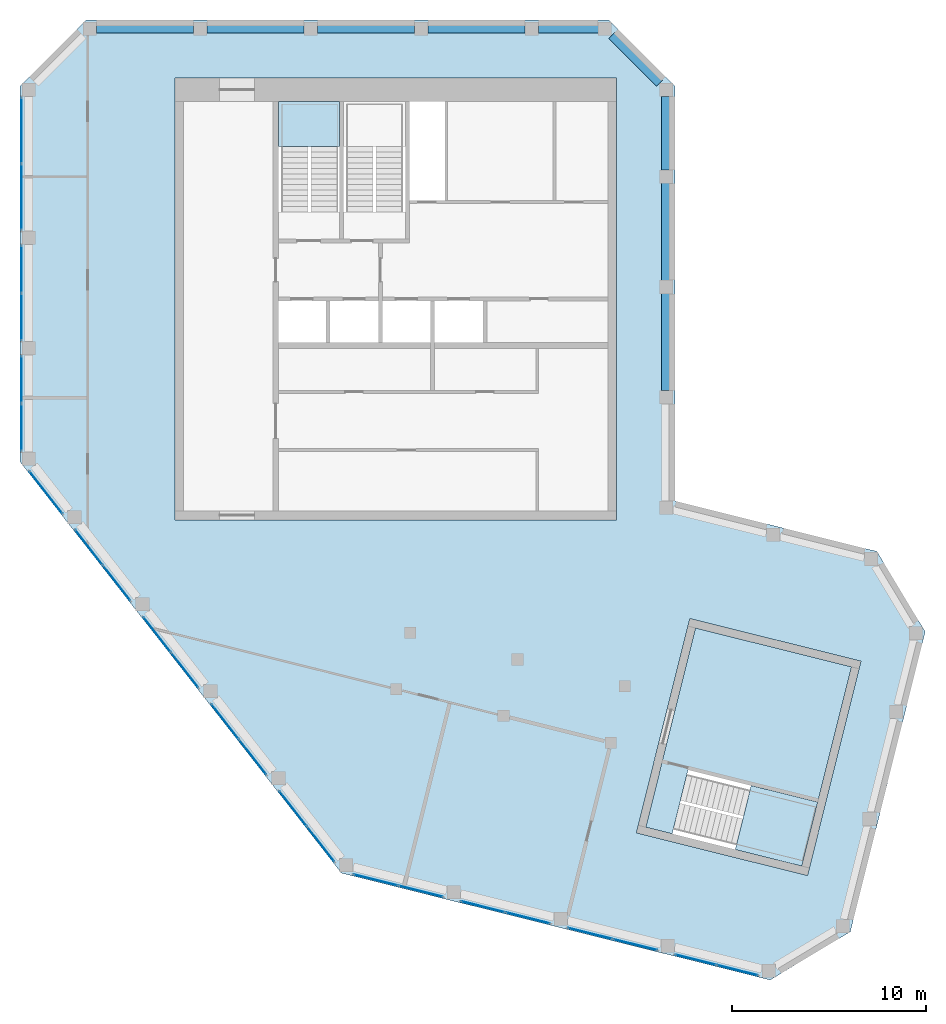
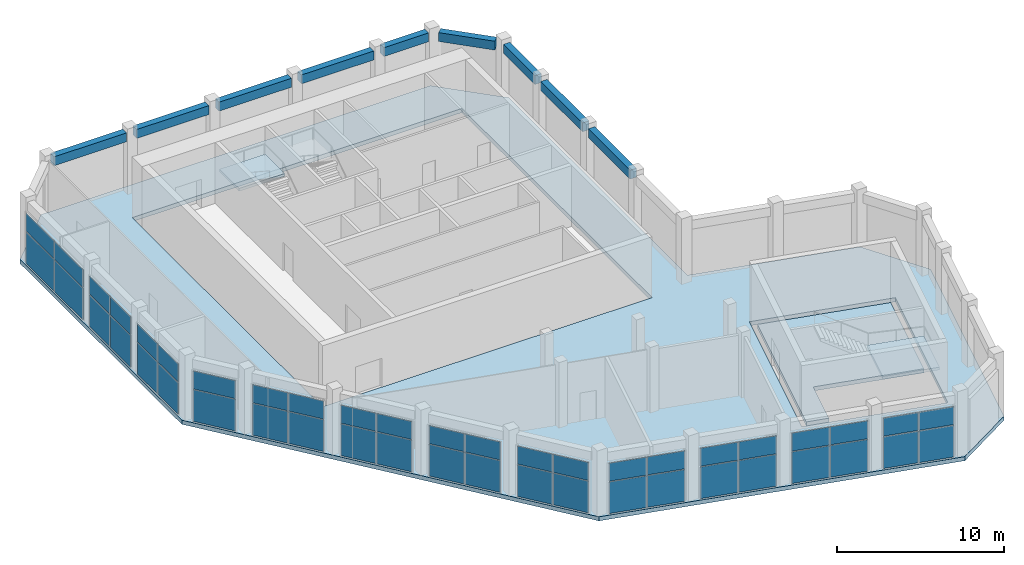
# One storey, part 6 of 10: 46 plates, 9 beams, 4 slabs, 14 elements without a shape of their own.
"""IFC4 building model written with IfcOpenShell, lengths in metres."""

from ifc_helpers import new_model, si_unit, direction, frame, origin, origin_2d, place, context, subcontext, project, spatial, polyline, rectangle, outline, extrude, material, layer, layer_set, material_profile, profile_set, type_object, element, aggregate, save


model = new_model("IFC4")

# Units and contexts
model_context = context("Model", 3, precision=1e-05, world=origin(), true_north=direction((0.0, 1.0)))
body_context = subcontext(model_context, "Body", "Model", "MODEL_VIEW")
ifc_project = project(units=[si_unit("LENGTHUNIT", "METRE"), si_unit("AREAUNIT", "SQUARE_METRE"), si_unit("VOLUMEUNIT", "CUBIC_METRE"), si_unit("PLANEANGLEUNIT", "RADIAN"), si_unit("MASSUNIT", "GRAM", prefix="KILO")], contexts=[model_context])

# Site, building, storey
site_placement = place(None, origin())
site = spatial("IfcSite", under=ifc_project, at=site_placement, CompositionType="ELEMENT")
building_placement = place(site_placement, origin())
building = spatial("IfcBuilding", under=site, at=building_placement, Name="Meshkara Civic Tower", CompositionType="ELEMENT")
storey_placement = place(building_placement, frame((0.0, 0.0, 424.199951171875)))
storey = spatial("IfcBuildingStorey", under=building, at=storey_placement, Name="L97 Crown", CompositionType="ELEMENT", Elevation=424.199951171875)

# Beams
ifc_material_1 = material(Name="Concrete C50", Category="concrete")
ifc_material_profile = material_profile(ifc_material_1, rectangle(XDim=0.449951171875, YDim=0.64990234375, at=origin_2d()))
ifc_profile_set = profile_set([ifc_material_profile], Name="Concrete C50")
beam_type = type_object("IfcBeamType", Name="Spandrel beam RC 450x650 C50", PredefinedType="BEAM", material=ifc_profile_set)
for number, where, z_axis, x_axis, name in (
    (1, (33.35009765625, 20.763916015625, 4.125), (0.0, 1.0, 0.0), (-1.0, 0.0, 0.0), "Spandrel beam HE01-HE02"),
    (2, (33.35009765625, 26.464111328125, 4.125), (0.0, 1.0, 0.0), (-1.0, 0.0, 0.0), "Spandrel beam HE02-HE03"),
):
    element("IfcBeam", number, at=place(storey_placement, frame(where, z_axis=z_axis, x_axis=x_axis)), inside=storey, type_object=beam_type, Name=name, PredefinedType="BEAM", context=body_context, shape_type="SweptSolid", body=[
        extrude(rectangle(XDim=0.449951171875, YDim=0.64990234375, at=origin_2d()), origin(), (0.0, 0.0, 1.0), 5.010009765625),
    ])
beam_1_placement = place(storey_placement, frame((33.35009765625, 32.1640625, 4.125), z_axis=(0.0, 1.0, 0.0), x_axis=(-1.0, 0.0, 0.0)))
element("IfcBeam", 3, at=beam_1_placement, inside=storey, type_object=beam_type, Name="Spandrel beam HE03-HEE", PredefinedType="BEAM", context=body_context, shape_type="SweptSolid", body=[
    extrude(rectangle(XDim=0.449951171875, YDim=0.64990234375, at=origin_2d()), origin(), (0.0, 0.0, 1.0), 3.784912109375),
])
beam_2_placement = place(storey_placement, frame((33.00341796875, 36.640380859375, 4.125), z_axis=(-0.707071735129, 0.707141825507, 0.0), x_axis=(-0.707141825507, -0.707071735129, 0.0)))
element("IfcBeam", 4, at=beam_2_placement, inside=storey, type_object=beam_type, Name="Spandrel beam HCeE-HEE", PredefinedType="BEAM", context=body_context, shape_type="SweptSolid", body=[
    extrude(rectangle(XDim=0.449951171875, YDim=0.64990234375, at=origin_2d()), origin(), (0.0, 0.0, 1.0), 3.483154296875),
])
beam_3_placement = place(storey_placement, frame((29.84912109375, 39.449951171875, 4.125), z_axis=(-1.0, 0.0, 0.0), x_axis=(0.0, -1.0, 0.0)))
element("IfcBeam", 5, at=beam_3_placement, inside=storey, type_object=beam_type, Name="Spandrel beam HCeE-HN04", PredefinedType="BEAM", context=body_context, shape_type="SweptSolid", body=[
    extrude(rectangle(XDim=0.449951171875, YDim=0.64990234375, at=origin_2d()), origin(), (0.0, 0.0, 1.0), 3.09814453125),
])
for number, where, z_axis, x_axis, name in (
    (6, (26.06103515625, 39.449951171875, 4.125), (-1.0, 0.0, 0.0), (0.0, -1.0, 0.0), "Spandrel beam HN03-HN04"),
    (7, (20.361083984375, 39.449951171875, 4.125), (-1.0, 0.0, 0.0), (0.0, -1.0, 0.0), "Spandrel beam HN02-HN03"),
    (8, (14.660888671875, 39.449951171875, 4.125), (-1.0, 0.0, 0.0), (0.0, -1.0, 0.0), "Spandrel beam HN01-HN02"),
    (9, (8.9609375, 39.449951171875, 4.125), (-1.0, 0.0, 0.0), (0.0, -1.0, 0.0), "Spandrel beam HN00-P8-HN01"),
):
    element("IfcBeam", number, at=place(storey_placement, frame(where, z_axis=z_axis, x_axis=x_axis)), inside=storey, type_object=beam_type, Name=name, PredefinedType="BEAM", context=body_context, shape_type="SweptSolid", body=[
        extrude(rectangle(XDim=0.449951171875, YDim=0.64990234375, at=origin_2d()), origin(), (0.0, 0.0, 1.0), 5.010009765625),
    ])

# Curtain wall, plates
ifc_material_2 = material(Name="Tinted double glazing", Category="glass")
curtain_wall_type = type_object("IfcCurtainWallType", Name="CW CROWN LANTERN", PredefinedType="NOTDEFINED", material=ifc_material_2)
curtain_wall_1_placement = place(storey_placement, origin())
curtain_wall_1 = element("IfcCurtainWall", 10, at=curtain_wall_1_placement, inside=storey, type_object=curtain_wall_type, Name="Curtain wall CW3", PredefinedType="NOTDEFINED")
ifc_material_3 = material(Name="Tinted double glazing", Category="glass")
ifc_layer_1 = layer(ifc_material_3, 0.028076171875)
ifc_layer_set_1 = layer_set([ifc_layer_1], Name="CW PANEL IGU 28")
plate_type = type_object("IfcPlateType", Name="CW PANEL IGU 28", PredefinedType="CURTAIN_PANEL", material=ifc_layer_set_1)
plate_1_placement = place(storey_placement, frame((0.080078125, 34.1943359375, 0.06005859375), z_axis=(0.0, 0.0, 1.0), x_axis=(0.0, -1.0, 0.0)))
plate_1 = element("IfcPlate", 11, at=plate_1_placement, type_object=plate_type, Name="CW3 panel 1.1", PredefinedType="CURTAIN_PANEL", context=body_context, shape_type="SweptSolid", body=[
    extrude(rectangle(XDim=3.37939453125, YDim=0.028076171875, at=origin_2d()), origin(), (0.0, 0.0, 1.0), 2.31005859375),
])
plate_2_placement = place(storey_placement, frame((0.080078125, 34.1943359375, 2.429931640625), z_axis=(0.0, 0.0, 1.0), x_axis=(0.0, -1.0, 0.0)))
plate_2 = element("IfcPlate", 12, at=plate_2_placement, type_object=plate_type, Name="CW3 panel 1.2", PredefinedType="CURTAIN_PANEL", context=body_context, shape_type="SweptSolid", body=[
    extrude(rectangle(XDim=3.37939453125, YDim=0.028076171875, at=origin_2d()), origin(), (0.0, 0.0, 1.0), 1.31005859375),
])
plate_3_placement = place(storey_placement, frame((0.080078125, 30.754638671875, 0.06005859375), z_axis=(0.0, 0.0, 1.0), x_axis=(0.0, -1.0, 0.0)))
plate_3 = element("IfcPlate", 13, at=plate_3_placement, type_object=plate_type, Name="CW3 panel 2.1", PredefinedType="CURTAIN_PANEL", context=body_context, shape_type="SweptSolid", body=[
    extrude(rectangle(XDim=3.37939453125, YDim=0.028076171875, at=origin_2d()), origin(), (0.0, 0.0, 1.0), 2.31005859375),
])
plate_4_placement = place(storey_placement, frame((0.080078125, 30.754638671875, 2.429931640625), z_axis=(0.0, 0.0, 1.0), x_axis=(0.0, -1.0, 0.0)))
plate_4 = element("IfcPlate", 14, at=plate_4_placement, type_object=plate_type, Name="CW3 panel 2.2", PredefinedType="CURTAIN_PANEL", context=body_context, shape_type="SweptSolid", body=[
    extrude(rectangle(XDim=3.37939453125, YDim=0.028076171875, at=origin_2d()), origin(), (0.0, 0.0, 1.0), 1.31005859375),
])
aggregate(curtain_wall_1, [plate_1, plate_2, plate_3, plate_4])

curtain_wall_2_placement = place(storey_placement, origin())
curtain_wall_2 = element("IfcCurtainWall", 15, at=curtain_wall_2_placement, inside=storey, type_object=curtain_wall_type, Name="Curtain wall CW3", PredefinedType="NOTDEFINED")
plate_5_placement = place(storey_placement, frame((0.080078125, 27.0400390625, 0.06005859375), z_axis=(0.0, 0.0, 1.0), x_axis=(0.0, -1.0, 0.0)))
plate_5 = element("IfcPlate", 16, at=plate_5_placement, type_object=plate_type, Name="CW3 panel 1.1", PredefinedType="CURTAIN_PANEL", context=body_context, shape_type="SweptSolid", body=[
    extrude(rectangle(XDim=2.409912109375, YDim=0.028076171875, at=origin_2d()), origin(), (0.0, 0.0, 1.0), 2.31005859375),
])
plate_6_placement = place(storey_placement, frame((0.080078125, 27.0400390625, 2.429931640625), z_axis=(0.0, 0.0, 1.0), x_axis=(0.0, -1.0, 0.0)))
plate_6 = element("IfcPlate", 17, at=plate_6_placement, type_object=plate_type, Name="CW3 panel 1.2", PredefinedType="CURTAIN_PANEL", context=body_context, shape_type="SweptSolid", body=[
    extrude(rectangle(XDim=2.409912109375, YDim=0.028076171875, at=origin_2d()), origin(), (0.0, 0.0, 1.0), 1.31005859375),
])
plate_7_placement = place(storey_placement, frame((0.080078125, 24.570068359375, 0.06005859375), z_axis=(0.0, 0.0, 1.0), x_axis=(0.0, -1.0, 0.0)))
plate_7 = element("IfcPlate", 18, at=plate_7_placement, type_object=plate_type, Name="CW3 panel 2.1", PredefinedType="CURTAIN_PANEL", context=body_context, shape_type="SweptSolid", body=[
    extrude(rectangle(XDim=2.409912109375, YDim=0.028076171875, at=origin_2d()), origin(), (0.0, 0.0, 1.0), 2.31005859375),
])
plate_8_placement = place(storey_placement, frame((0.080078125, 24.570068359375, 2.429931640625), z_axis=(0.0, 0.0, 1.0), x_axis=(0.0, -1.0, 0.0)))
plate_8 = element("IfcPlate", 19, at=plate_8_placement, type_object=plate_type, Name="CW3 panel 2.2", PredefinedType="CURTAIN_PANEL", context=body_context, shape_type="SweptSolid", body=[
    extrude(rectangle(XDim=2.409912109375, YDim=0.028076171875, at=origin_2d()), origin(), (0.0, 0.0, 1.0), 1.31005859375),
])
aggregate(curtain_wall_2, [plate_5, plate_6, plate_7, plate_8])

curtain_wall_3_placement = place(storey_placement, origin())
curtain_wall_3 = element("IfcCurtainWall", 20, at=curtain_wall_3_placement, inside=storey, type_object=curtain_wall_type, Name="Curtain wall CW3", PredefinedType="NOTDEFINED")
plate_9_placement = place(storey_placement, frame((0.080078125, 21.340087890625, 0.06005859375), z_axis=(0.0, 0.0, 1.0), x_axis=(0.0, -1.0, 0.0)))
plate_9 = element("IfcPlate", 21, at=plate_9_placement, type_object=plate_type, Name="CW3 panel 1.1", PredefinedType="CURTAIN_PANEL", context=body_context, shape_type="SweptSolid", body=[
    extrude(rectangle(XDim=2.409912109375, YDim=0.028076171875, at=origin_2d()), origin(), (0.0, 0.0, 1.0), 2.31005859375),
])
plate_10_placement = place(storey_placement, frame((0.080078125, 21.340087890625, 2.429931640625), z_axis=(0.0, 0.0, 1.0), x_axis=(0.0, -1.0, 0.0)))
plate_10 = element("IfcPlate", 22, at=plate_10_placement, type_object=plate_type, Name="CW3 panel 1.2", PredefinedType="CURTAIN_PANEL", context=body_context, shape_type="SweptSolid", body=[
    extrude(rectangle(XDim=2.409912109375, YDim=0.028076171875, at=origin_2d()), origin(), (0.0, 0.0, 1.0), 1.31005859375),
])
plate_11_placement = place(storey_placement, frame((0.080078125, 18.8701171875, 0.06005859375), z_axis=(0.0, 0.0, 1.0), x_axis=(0.0, -1.0, 0.0)))
plate_11 = element("IfcPlate", 23, at=plate_11_placement, type_object=plate_type, Name="CW3 panel 2.1", PredefinedType="CURTAIN_PANEL", context=body_context, shape_type="SweptSolid", body=[
    extrude(rectangle(XDim=2.409912109375, YDim=0.028076171875, at=origin_2d()), origin(), (0.0, 0.0, 1.0), 2.31005859375),
])
plate_12_placement = place(storey_placement, frame((0.080078125, 18.8701171875, 2.429931640625), z_axis=(0.0, 0.0, 1.0), x_axis=(0.0, -1.0, 0.0)))
plate_12 = element("IfcPlate", 24, at=plate_12_placement, type_object=plate_type, Name="CW3 panel 2.2", PredefinedType="CURTAIN_PANEL", context=body_context, shape_type="SweptSolid", body=[
    extrude(rectangle(XDim=2.409912109375, YDim=0.028076171875, at=origin_2d()), origin(), (0.0, 0.0, 1.0), 1.31005859375),
])
aggregate(curtain_wall_3, [plate_9, plate_10, plate_11, plate_12])

curtain_wall_4_placement = place(storey_placement, origin())
curtain_wall_4 = element("IfcCurtainWall", 25, at=curtain_wall_4_placement, inside=storey, type_object=curtain_wall_type, Name="Curtain wall CW3", PredefinedType="NOTDEFINED")
plate_13_placement = place(storey_placement, frame((1.340576171875, 15.513916015625, 0.06005859375), z_axis=(0.0, 0.0, 1.0), x_axis=(0.615562546316, -0.78808803542, 0.0)))
plate_13 = element("IfcPlate", 26, at=plate_13_placement, type_object=plate_type, Name="CW3 panel 1.1", PredefinedType="CURTAIN_PANEL", context=body_context, shape_type="SweptSolid", body=[
    extrude(rectangle(XDim=2.737548828125, YDim=0.028076171875, at=origin_2d()), origin(), (0.0, 0.0, 1.0), 2.31005859375),
])
plate_14_placement = place(storey_placement, frame((1.340576171875, 15.513916015625, 2.429931640625), z_axis=(0.0, 0.0, 1.0), x_axis=(0.615562546316, -0.78808803542, 0.0)))
plate_14 = element("IfcPlate", 27, at=plate_14_placement, type_object=plate_type, Name="CW3 panel 1.2", PredefinedType="CURTAIN_PANEL", context=body_context, shape_type="SweptSolid", body=[
    extrude(rectangle(XDim=2.737548828125, YDim=0.028076171875, at=origin_2d()), origin(), (0.0, 0.0, 1.0), 1.31005859375),
])
aggregate(curtain_wall_4, [plate_13, plate_14])

curtain_wall_5_placement = place(storey_placement, origin())
curtain_wall_5 = element("IfcCurtainWall", 28, at=curtain_wall_5_placement, inside=storey, type_object=curtain_wall_type, Name="Curtain wall CW3", PredefinedType="NOTDEFINED")
plate_15_placement = place(storey_placement, frame((3.560302734375, 12.6728515625, 0.06005859375), z_axis=(0.0, 0.0, 1.0), x_axis=(0.615656384086, -0.788014731293, 0.0)))
plate_15 = element("IfcPlate", 29, at=plate_15_placement, type_object=plate_type, Name="CW3 panel 1.1", PredefinedType="CURTAIN_PANEL", context=body_context, shape_type="SweptSolid", body=[
    extrude(rectangle(XDim=2.2685546875, YDim=0.028076171875, at=origin_2d()), origin(), (0.0, 0.0, 1.0), 2.31005859375),
])
plate_16_placement = place(storey_placement, frame((3.560302734375, 12.6728515625, 2.429931640625), z_axis=(0.0, 0.0, 1.0), x_axis=(0.615656384086, -0.788014731293, 0.0)))
plate_16 = element("IfcPlate", 30, at=plate_16_placement, type_object=plate_type, Name="CW3 panel 1.2", PredefinedType="CURTAIN_PANEL", context=body_context, shape_type="SweptSolid", body=[
    extrude(rectangle(XDim=2.2685546875, YDim=0.028076171875, at=origin_2d()), origin(), (0.0, 0.0, 1.0), 1.31005859375),
])
plate_17_placement = place(storey_placement, frame((4.99365234375, 10.838134765625, 0.06005859375), z_axis=(0.0, 0.0, 1.0), x_axis=(0.615656384086, -0.788014731293, 0.0)))
plate_17 = element("IfcPlate", 31, at=plate_17_placement, type_object=plate_type, Name="CW3 panel 2.1", PredefinedType="CURTAIN_PANEL", context=body_context, shape_type="SweptSolid", body=[
    extrude(rectangle(XDim=2.2685546875, YDim=0.028076171875, at=origin_2d()), origin(), (0.0, 0.0, 1.0), 2.31005859375),
])
plate_18_placement = place(storey_placement, frame((4.99365234375, 10.838134765625, 2.429931640625), z_axis=(0.0, 0.0, 1.0), x_axis=(0.615656384086, -0.788014731293, 0.0)))
plate_18 = element("IfcPlate", 32, at=plate_18_placement, type_object=plate_type, Name="CW3 panel 2.2", PredefinedType="CURTAIN_PANEL", context=body_context, shape_type="SweptSolid", body=[
    extrude(rectangle(XDim=2.2685546875, YDim=0.028076171875, at=origin_2d()), origin(), (0.0, 0.0, 1.0), 1.31005859375),
])
aggregate(curtain_wall_5, [plate_15, plate_16, plate_17, plate_18])

curtain_wall_6_placement = place(storey_placement, origin())
curtain_wall_6 = element("IfcCurtainWall", 33, at=curtain_wall_6_placement, inside=storey, type_object=curtain_wall_type, Name="Curtain wall CW3", PredefinedType="NOTDEFINED")
plate_19_placement = place(storey_placement, frame((7.069580078125, 8.1806640625, 0.06005859375), z_axis=(0.0, 0.0, 1.0), x_axis=(0.615685169539, -0.787992241085, 0.0)))
plate_19 = element("IfcPlate", 34, at=plate_19_placement, type_object=plate_type, Name="CW3 panel 1.1", PredefinedType="CURTAIN_PANEL", context=body_context, shape_type="SweptSolid", body=[
    extrude(rectangle(XDim=2.26904296875, YDim=0.028076171875, at=origin_2d()), origin(), (0.0, 0.0, 1.0), 2.31005859375),
])
plate_20_placement = place(storey_placement, frame((7.069580078125, 8.1806640625, 2.429931640625), z_axis=(0.0, 0.0, 1.0), x_axis=(0.615685169539, -0.787992241085, 0.0)))
plate_20 = element("IfcPlate", 35, at=plate_20_placement, type_object=plate_type, Name="CW3 panel 1.2", PredefinedType="CURTAIN_PANEL", context=body_context, shape_type="SweptSolid", body=[
    extrude(rectangle(XDim=2.26904296875, YDim=0.028076171875, at=origin_2d()), origin(), (0.0, 0.0, 1.0), 1.31005859375),
])
plate_21_placement = place(storey_placement, frame((8.50341796875, 6.34521484375, 0.06005859375), z_axis=(0.0, 0.0, 1.0), x_axis=(0.615685169539, -0.787992241085, 0.0)))
plate_21 = element("IfcPlate", 36, at=plate_21_placement, type_object=plate_type, Name="CW3 panel 2.1", PredefinedType="CURTAIN_PANEL", context=body_context, shape_type="SweptSolid", body=[
    extrude(rectangle(XDim=2.26904296875, YDim=0.028076171875, at=origin_2d()), origin(), (0.0, 0.0, 1.0), 2.31005859375),
])
plate_22_placement = place(storey_placement, frame((8.50341796875, 6.34521484375, 2.429931640625), z_axis=(0.0, 0.0, 1.0), x_axis=(0.615685169539, -0.787992241085, 0.0)))
plate_22 = element("IfcPlate", 37, at=plate_22_placement, type_object=plate_type, Name="CW3 panel 2.2", PredefinedType="CURTAIN_PANEL", context=body_context, shape_type="SweptSolid", body=[
    extrude(rectangle(XDim=2.26904296875, YDim=0.028076171875, at=origin_2d()), origin(), (0.0, 0.0, 1.0), 1.31005859375),
])
aggregate(curtain_wall_6, [plate_19, plate_20, plate_21, plate_22])

curtain_wall_7_placement = place(storey_placement, origin())
curtain_wall_7 = element("IfcCurtainWall", 38, at=curtain_wall_7_placement, inside=storey, type_object=curtain_wall_type, Name="Curtain wall CW3", PredefinedType="NOTDEFINED")
plate_23_placement = place(storey_placement, frame((10.579345703125, 3.68896484375, 0.06005859375), z_axis=(0.0, 0.0, 1.0), x_axis=(0.615656384086, -0.788014731293, 0.0)))
plate_23 = element("IfcPlate", 39, at=plate_23_placement, type_object=plate_type, Name="CW3 panel 1.1", PredefinedType="CURTAIN_PANEL", context=body_context, shape_type="SweptSolid", body=[
    extrude(rectangle(XDim=2.2685546875, YDim=0.028076171875, at=origin_2d()), origin(), (0.0, 0.0, 1.0), 2.31005859375),
])
plate_24_placement = place(storey_placement, frame((10.579345703125, 3.68896484375, 2.429931640625), z_axis=(0.0, 0.0, 1.0), x_axis=(0.615656384086, -0.788014731293, 0.0)))
plate_24 = element("IfcPlate", 40, at=plate_24_placement, type_object=plate_type, Name="CW3 panel 1.2", PredefinedType="CURTAIN_PANEL", context=body_context, shape_type="SweptSolid", body=[
    extrude(rectangle(XDim=2.2685546875, YDim=0.028076171875, at=origin_2d()), origin(), (0.0, 0.0, 1.0), 1.31005859375),
])
plate_25_placement = place(storey_placement, frame((12.0126953125, 1.85400390625, 0.06005859375), z_axis=(0.0, 0.0, 1.0), x_axis=(0.615656384086, -0.788014731293, 0.0)))
plate_25 = element("IfcPlate", 41, at=plate_25_placement, type_object=plate_type, Name="CW3 panel 2.1", PredefinedType="CURTAIN_PANEL", context=body_context, shape_type="SweptSolid", body=[
    extrude(rectangle(XDim=2.2685546875, YDim=0.028076171875, at=origin_2d()), origin(), (0.0, 0.0, 1.0), 2.31005859375),
])
plate_26_placement = place(storey_placement, frame((12.0126953125, 1.85400390625, 2.429931640625), z_axis=(0.0, 0.0, 1.0), x_axis=(0.615656384086, -0.788014731293, 0.0)))
plate_26 = element("IfcPlate", 42, at=plate_26_placement, type_object=plate_type, Name="CW3 panel 2.2", PredefinedType="CURTAIN_PANEL", context=body_context, shape_type="SweptSolid", body=[
    extrude(rectangle(XDim=2.2685546875, YDim=0.028076171875, at=origin_2d()), origin(), (0.0, 0.0, 1.0), 1.31005859375),
])
aggregate(curtain_wall_7, [plate_23, plate_24, plate_25, plate_26])

curtain_wall_8_placement = place(storey_placement, origin())
curtain_wall_8 = element("IfcCurtainWall", 43, at=curtain_wall_8_placement, inside=storey, type_object=curtain_wall_type, Name="Curtain wall CW3", PredefinedType="NOTDEFINED")
plate_27_placement = place(storey_placement, frame((14.088134765625, -0.802001953125, 0.06005859375), z_axis=(0.0, 0.0, 1.0), x_axis=(0.615656384086, -0.788014731293, 0.0)))
plate_27 = element("IfcPlate", 44, at=plate_27_placement, type_object=plate_type, Name="CW3 panel 1.1", PredefinedType="CURTAIN_PANEL", context=body_context, shape_type="SweptSolid", body=[
    extrude(rectangle(XDim=2.2685546875, YDim=0.028076171875, at=origin_2d()), origin(), (0.0, 0.0, 1.0), 2.31005859375),
])
plate_28_placement = place(storey_placement, frame((14.088134765625, -0.802001953125, 2.429931640625), z_axis=(0.0, 0.0, 1.0), x_axis=(0.615656384086, -0.788014731293, 0.0)))
plate_28 = element("IfcPlate", 45, at=plate_28_placement, type_object=plate_type, Name="CW3 panel 1.2", PredefinedType="CURTAIN_PANEL", context=body_context, shape_type="SweptSolid", body=[
    extrude(rectangle(XDim=2.2685546875, YDim=0.028076171875, at=origin_2d()), origin(), (0.0, 0.0, 1.0), 1.31005859375),
])
plate_29_placement = place(storey_placement, frame((15.521728515625, -2.636962890625, 0.06005859375), z_axis=(0.0, 0.0, 1.0), x_axis=(0.615656384086, -0.788014731293, 0.0)))
plate_29 = element("IfcPlate", 46, at=plate_29_placement, type_object=plate_type, Name="CW3 panel 2.1", PredefinedType="CURTAIN_PANEL", context=body_context, shape_type="SweptSolid", body=[
    extrude(rectangle(XDim=2.2685546875, YDim=0.028076171875, at=origin_2d()), origin(), (0.0, 0.0, 1.0), 2.31005859375),
])
plate_30_placement = place(storey_placement, frame((15.521728515625, -2.636962890625, 2.429931640625), z_axis=(0.0, 0.0, 1.0), x_axis=(0.615656384086, -0.788014731293, 0.0)))
plate_30 = element("IfcPlate", 47, at=plate_30_placement, type_object=plate_type, Name="CW3 panel 2.2", PredefinedType="CURTAIN_PANEL", context=body_context, shape_type="SweptSolid", body=[
    extrude(rectangle(XDim=2.2685546875, YDim=0.028076171875, at=origin_2d()), origin(), (0.0, 0.0, 1.0), 1.31005859375),
])
aggregate(curtain_wall_8, [plate_27, plate_28, plate_29, plate_30])

curtain_wall_9_placement = place(storey_placement, origin())
curtain_wall_9 = element("IfcCurtainWall", 48, at=curtain_wall_9_placement, inside=storey, type_object=curtain_wall_type, Name="Curtain wall CW3", PredefinedType="NOTDEFINED")
plate_31_placement = place(storey_placement, frame((18.364501953125, -4.49609375, 0.06005859375), z_axis=(0.0, 0.0, 1.0), x_axis=(0.970287803332, -0.241953670576, 0.0)))
plate_31 = element("IfcPlate", 49, at=plate_31_placement, type_object=plate_type, Name="CW3 panel 1.1", PredefinedType="CURTAIN_PANEL", context=body_context, shape_type="SweptSolid", body=[
    extrude(rectangle(XDim=2.336181640625, YDim=0.028076171875, at=origin_2d()), origin(), (0.0, 0.0, 1.0), 2.31005859375),
])
plate_32_placement = place(storey_placement, frame((18.364501953125, -4.49609375, 2.429931640625), z_axis=(0.0, 0.0, 1.0), x_axis=(0.970287803332, -0.241953670576, 0.0)))
plate_32 = element("IfcPlate", 50, at=plate_32_placement, type_object=plate_type, Name="CW3 panel 1.2", PredefinedType="CURTAIN_PANEL", context=body_context, shape_type="SweptSolid", body=[
    extrude(rectangle(XDim=2.336181640625, YDim=0.028076171875, at=origin_2d()), origin(), (0.0, 0.0, 1.0), 1.31005859375),
])
plate_33_placement = place(storey_placement, frame((20.689453125, -5.075927734375, 0.06005859375), z_axis=(0.0, 0.0, 1.0), x_axis=(0.970287803332, -0.241953670576, 0.0)))
plate_33 = element("IfcPlate", 51, at=plate_33_placement, type_object=plate_type, Name="CW3 panel 2.1", PredefinedType="CURTAIN_PANEL", context=body_context, shape_type="SweptSolid", body=[
    extrude(rectangle(XDim=2.336181640625, YDim=0.028076171875, at=origin_2d()), origin(), (0.0, 0.0, 1.0), 2.31005859375),
])
plate_34_placement = place(storey_placement, frame((20.689453125, -5.075927734375, 2.429931640625), z_axis=(0.0, 0.0, 1.0), x_axis=(0.970287803332, -0.241953670576, 0.0)))
plate_34 = element("IfcPlate", 52, at=plate_34_placement, type_object=plate_type, Name="CW3 panel 2.2", PredefinedType="CURTAIN_PANEL", context=body_context, shape_type="SweptSolid", body=[
    extrude(rectangle(XDim=2.336181640625, YDim=0.028076171875, at=origin_2d()), origin(), (0.0, 0.0, 1.0), 1.31005859375),
])
aggregate(curtain_wall_9, [plate_31, plate_32, plate_33, plate_34])

curtain_wall_10_placement = place(storey_placement, origin())
curtain_wall_10 = element("IfcCurtainWall", 53, at=curtain_wall_10_placement, inside=storey, type_object=curtain_wall_type, Name="Curtain wall CW3", PredefinedType="NOTDEFINED")
plate_35_placement = place(storey_placement, frame((23.895263671875, -5.8759765625, 0.06005859375), z_axis=(0.0, 0.0, 1.0), x_axis=(0.970324119892, -0.241807986541, 0.0)))
plate_35 = element("IfcPlate", 54, at=plate_35_placement, type_object=plate_type, Name="CW3 panel 1.1", PredefinedType="CURTAIN_PANEL", context=body_context, shape_type="SweptSolid", body=[
    extrude(rectangle(XDim=2.33544921875, YDim=0.028076171875, at=origin_2d()), origin(), (0.0, 0.0, 1.0), 2.31005859375),
])
plate_36_placement = place(storey_placement, frame((23.895263671875, -5.8759765625, 2.429931640625), z_axis=(0.0, 0.0, 1.0), x_axis=(0.970324119892, -0.241807986541, 0.0)))
plate_36 = element("IfcPlate", 55, at=plate_36_placement, type_object=plate_type, Name="CW3 panel 1.2", PredefinedType="CURTAIN_PANEL", context=body_context, shape_type="SweptSolid", body=[
    extrude(rectangle(XDim=2.33544921875, YDim=0.028076171875, at=origin_2d()), origin(), (0.0, 0.0, 1.0), 1.31005859375),
])
plate_37_placement = place(storey_placement, frame((26.2197265625, -6.455078125, 0.06005859375), z_axis=(0.0, 0.0, 1.0), x_axis=(0.970324119892, -0.241807986541, 0.0)))
plate_37 = element("IfcPlate", 56, at=plate_37_placement, type_object=plate_type, Name="CW3 panel 2.1", PredefinedType="CURTAIN_PANEL", context=body_context, shape_type="SweptSolid", body=[
    extrude(rectangle(XDim=2.33544921875, YDim=0.028076171875, at=origin_2d()), origin(), (0.0, 0.0, 1.0), 2.31005859375),
])
plate_38_placement = place(storey_placement, frame((26.2197265625, -6.455078125, 2.429931640625), z_axis=(0.0, 0.0, 1.0), x_axis=(0.970324119892, -0.241807986541, 0.0)))
plate_38 = element("IfcPlate", 57, at=plate_38_placement, type_object=plate_type, Name="CW3 panel 2.2", PredefinedType="CURTAIN_PANEL", context=body_context, shape_type="SweptSolid", body=[
    extrude(rectangle(XDim=2.33544921875, YDim=0.028076171875, at=origin_2d()), origin(), (0.0, 0.0, 1.0), 1.31005859375),
])
aggregate(curtain_wall_10, [plate_35, plate_36, plate_37, plate_38])

curtain_wall_11_placement = place(storey_placement, origin())
curtain_wall_11 = element("IfcCurtainWall", 58, at=curtain_wall_11_placement, inside=storey, type_object=curtain_wall_type, Name="Curtain wall CW3", PredefinedType="NOTDEFINED")
plate_39_placement = place(storey_placement, frame((29.425537109375, -7.254150390625, 0.06005859375), z_axis=(0.0, 0.0, 1.0), x_axis=(0.970287803332, -0.241953670576, 0.0)))
plate_39 = element("IfcPlate", 59, at=plate_39_placement, type_object=plate_type, Name="CW3 panel 1.1", PredefinedType="CURTAIN_PANEL", context=body_context, shape_type="SweptSolid", body=[
    extrude(rectangle(XDim=2.336181640625, YDim=0.028076171875, at=origin_2d()), origin(), (0.0, 0.0, 1.0), 2.31005859375),
])
plate_40_placement = place(storey_placement, frame((29.425537109375, -7.254150390625, 2.429931640625), z_axis=(0.0, 0.0, 1.0), x_axis=(0.970287803332, -0.241953670576, 0.0)))
plate_40 = element("IfcPlate", 60, at=plate_40_placement, type_object=plate_type, Name="CW3 panel 1.2", PredefinedType="CURTAIN_PANEL", context=body_context, shape_type="SweptSolid", body=[
    extrude(rectangle(XDim=2.336181640625, YDim=0.028076171875, at=origin_2d()), origin(), (0.0, 0.0, 1.0), 1.31005859375),
])
plate_41_placement = place(storey_placement, frame((31.75048828125, -7.833984375, 0.06005859375), z_axis=(0.0, 0.0, 1.0), x_axis=(0.970287803332, -0.241953670576, 0.0)))
plate_41 = element("IfcPlate", 61, at=plate_41_placement, type_object=plate_type, Name="CW3 panel 2.1", PredefinedType="CURTAIN_PANEL", context=body_context, shape_type="SweptSolid", body=[
    extrude(rectangle(XDim=2.336181640625, YDim=0.028076171875, at=origin_2d()), origin(), (0.0, 0.0, 1.0), 2.31005859375),
])
plate_42_placement = place(storey_placement, frame((31.75048828125, -7.833984375, 2.429931640625), z_axis=(0.0, 0.0, 1.0), x_axis=(0.970287803332, -0.241953670576, 0.0)))
plate_42 = element("IfcPlate", 62, at=plate_42_placement, type_object=plate_type, Name="CW3 panel 2.2", PredefinedType="CURTAIN_PANEL", context=body_context, shape_type="SweptSolid", body=[
    extrude(rectangle(XDim=2.336181640625, YDim=0.028076171875, at=origin_2d()), origin(), (0.0, 0.0, 1.0), 1.31005859375),
])
aggregate(curtain_wall_11, [plate_39, plate_40, plate_41, plate_42])

curtain_wall_12_placement = place(storey_placement, origin())
curtain_wall_12 = element("IfcCurtainWall", 63, at=curtain_wall_12_placement, inside=storey, type_object=curtain_wall_type, Name="Curtain wall CW3", PredefinedType="NOTDEFINED")
plate_43_placement = place(storey_placement, frame((34.873779296875, -8.612548828125, 0.06005859375), z_axis=(0.0, 0.0, 1.0), x_axis=(0.970259742508, -0.242066172912, 0.0)))
plate_43 = element("IfcPlate", 64, at=plate_43_placement, type_object=plate_type, Name="CW3 panel 1.1", PredefinedType="CURTAIN_PANEL", context=body_context, shape_type="SweptSolid", body=[
    extrude(rectangle(XDim=2.16552734375, YDim=0.028076171875, at=origin_2d()), origin(), (0.0, 0.0, 1.0), 2.31005859375),
])
plate_44_placement = place(storey_placement, frame((34.873779296875, -8.612548828125, 2.429931640625), z_axis=(0.0, 0.0, 1.0), x_axis=(0.970259742508, -0.242066172912, 0.0)))
plate_44 = element("IfcPlate", 65, at=plate_44_placement, type_object=plate_type, Name="CW3 panel 1.2", PredefinedType="CURTAIN_PANEL", context=body_context, shape_type="SweptSolid", body=[
    extrude(rectangle(XDim=2.16552734375, YDim=0.028076171875, at=origin_2d()), origin(), (0.0, 0.0, 1.0), 1.31005859375),
])
plate_45_placement = place(storey_placement, frame((37.033203125, -9.1513671875, 0.06005859375), z_axis=(0.0, 0.0, 1.0), x_axis=(0.970259742508, -0.242066172912, 0.0)))
plate_45 = element("IfcPlate", 66, at=plate_45_placement, type_object=plate_type, Name="CW3 panel 2.1", PredefinedType="CURTAIN_PANEL", context=body_context, shape_type="SweptSolid", body=[
    extrude(rectangle(XDim=2.16552734375, YDim=0.028076171875, at=origin_2d()), origin(), (0.0, 0.0, 1.0), 2.31005859375),
])
plate_46_placement = place(storey_placement, frame((37.033203125, -9.1513671875, 2.429931640625), z_axis=(0.0, 0.0, 1.0), x_axis=(0.970259742508, -0.242066172912, 0.0)))
plate_46 = element("IfcPlate", 67, at=plate_46_placement, type_object=plate_type, Name="CW3 panel 2.2", PredefinedType="CURTAIN_PANEL", context=body_context, shape_type="SweptSolid", body=[
    extrude(rectangle(XDim=2.16552734375, YDim=0.028076171875, at=origin_2d()), origin(), (0.0, 0.0, 1.0), 1.31005859375),
])
aggregate(curtain_wall_12, [plate_43, plate_44, plate_45, plate_46])

# Slab
ifc_material_4 = material(Name="Concrete C40/50", Category="concrete")
ifc_layer_2 = layer(ifc_material_4, 0.300048828125)
ifc_layer_set_2 = layer_set([ifc_layer_2], Name="Core floor slab 300 C40/50")
slab_type_1 = type_object("IfcSlabType", Name="Core floor slab 300 C40/50", PredefinedType="FLOOR", material=ifc_layer_set_2)
slab_1_placement = place(storey_placement, frame((0.0, 0.0, -0.300048828125)))
element("IfcSlab", 68, at=slab_1_placement, inside=storey, type_object=slab_type_1, Name="Core floor EB", PredefinedType="FLOOR", context=body_context, shape_type="SweptSolid", body=[
    extrude(outline(polyline([(34.866455078125, 8.51806640625), (42.919921875, 6.510009765625), (41.177978515625, -0.47607421875), (34.484375, 1.19287109375), (33.661865234375, -2.106201171875), (32.302001953125, -1.76708984375), (34.866455078125, 8.51806640625)])), origin(), (0.0, 0.0, 1.0), 0.300048828125),
])

# Stair, slab
ifc_material_5 = material(Name="Precast concrete C40/50", Category="concrete")
stair_type = type_object("IfcStairType", Name="Exit stair half-turn 26 risers precast", PredefinedType="HALF_TURN_STAIR", material=ifc_material_5)
stair_1_placement = place(storey_placement, origin())
stair_1 = element("IfcStair", 69, at=stair_1_placement, inside=storey, type_object=stair_type, Name="L97 Crown exit stair 1", PredefinedType="HALF_TURN_STAIR")
ifc_material_6 = material(Name="Precast concrete C40/50", Category="concrete")
ifc_layer_3 = layer(ifc_material_6, 0.199951171875)
ifc_layer_set_3 = layer_set([ifc_layer_3], Name="Exit stair landing 200")
slab_type_2 = type_object("IfcSlabType", Name="Exit stair landing 200", PredefinedType="LANDING", material=ifc_layer_set_3)
slab_2_placement = place(storey_placement, frame((0.0, 0.0, 2.199951171875)))
slab_2 = element("IfcSlab", 70, at=slab_2_placement, type_object=slab_type_2, Name="ST1 landing 1", PredefinedType="LANDING", context=body_context, shape_type="SweptSolid", body=[
    extrude(outline(polyline([(16.5, 33.3583984375), (16.5, 35.699951171875), (13.35009765625, 35.699951171875), (13.35009765625, 33.3583984375), (16.5, 33.3583984375)])), origin(), (0.0, 0.0, 1.0), 0.2001953125),
])
aggregate(stair_1, [slab_2])

stair_2_placement = place(storey_placement, origin())
stair_2 = element("IfcStair", 71, at=stair_2_placement, inside=storey, type_object=stair_type, Name="L97 Crown exit stair B from L96 Crown", PredefinedType="HALF_TURN_STAIR")
slab_3_placement = place(storey_placement, frame((0.0, 0.0, 2.199951171875)))
slab_3 = element("IfcSlab", 72, at=slab_3_placement, type_object=slab_type_2, Name="ESB9 landing 1", PredefinedType="LANDING", context=body_context, shape_type="SweptSolid", body=[
    extrude(outline(polyline([(36.919921875, -2.92236328125), (40.35888671875, -3.77587890625), (41.18017578125, -0.46728515625), (37.740966796875, 0.38623046875), (36.919921875, -2.92236328125)])), origin(), (0.0, 0.0, 1.0), 0.2001953125),
])
aggregate(stair_2, [slab_3])

# Slab
ifc_material_7 = material(Name="Concrete C50", Category="concrete")
ifc_layer_4 = layer(ifc_material_7, 0.300048828125)
ifc_layer_set_4 = layer_set([ifc_layer_4], Name="Post-tensioned flat slab 300 C50")
slab_type_3 = type_object("IfcSlabType", Name="Post-tensioned flat slab 300 C50", PredefinedType="FLOOR", material=ifc_layer_set_4)
slab_4_placement = place(storey_placement, frame((0.0, 0.0, -0.300048828125)))
element("IfcSlab", 73, at=slab_4_placement, inside=storey, type_object=slab_type_3, Name="Post-tensioned flat slab L97 Crown", PredefinedType="FLOOR", context=body_context, shape_type="SweptSolid", body=[
    extrude(outline(polyline([(42.861083984375, -7.162109375), (38.715087890625, -9.653076171875), (16.592041015625, -4.136962890625), (0.0, 17.10009765625), (0.0, 36.47998046875), (3.419921875, 39.89990234375), (30.3798828125, 39.89990234375), (33.800048828125, 36.47998046875), (33.800048828125, 15.071044921875), (44.23095703125, 12.469970703125), (46.721923828125, 8.323974609375), (42.861083984375, -7.162109375)]), holes=[polyline([(40.64697265625, -4.260009765625), (43.405029296875, 6.801025390625), (34.574951171875, 9.0029296875), (31.81689453125, -2.05810546875), (40.64697265625, -4.260009765625)]), polyline([(30.800048828125, 36.89990234375), (8.0, 36.89990234375), (8.0, 14.10009765625), (30.800048828125, 14.10009765625), (30.800048828125, 36.89990234375)])]), origin(), (0.0, 0.0, 1.0), 0.300048828125),
])

save(model, "model.ifc")
